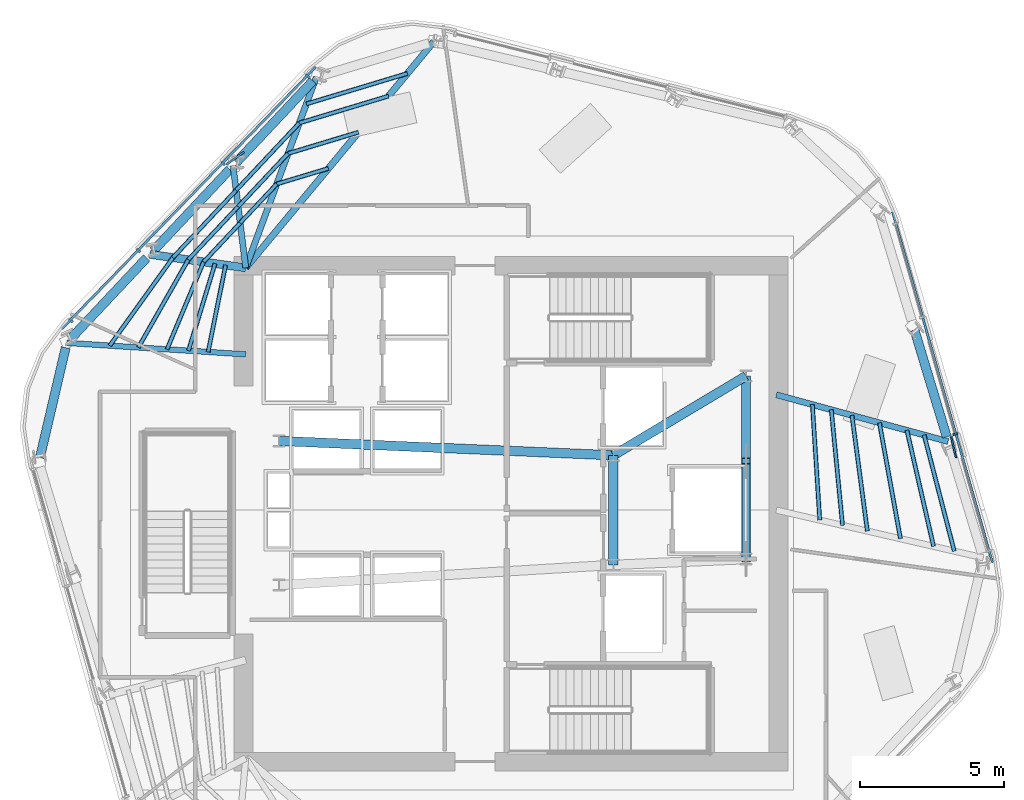
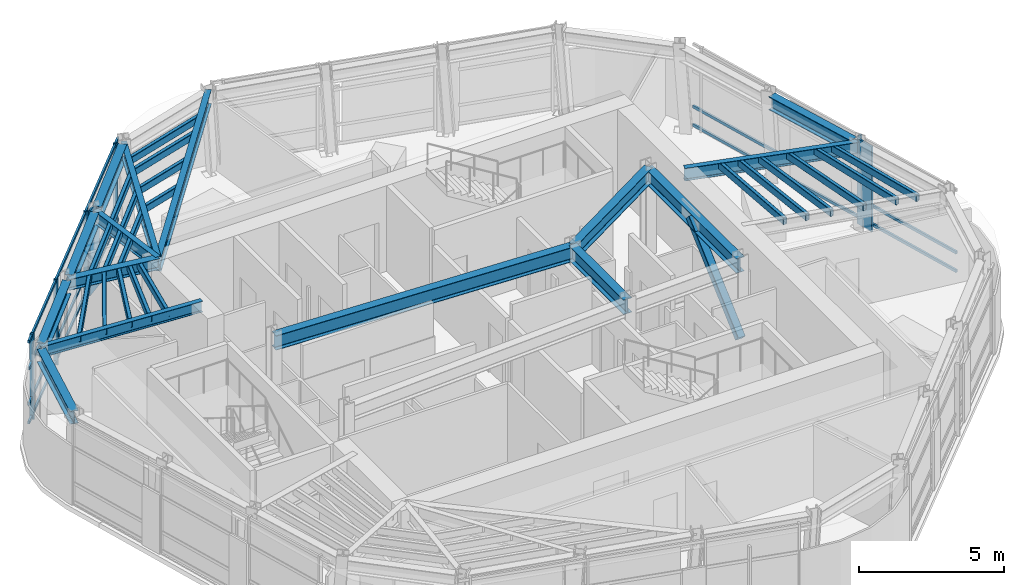
# One storey, part 4 of 13: 35 members, 15 beams, 2 elements without a shape of their own.
"""IFC4 building model written with IfcOpenShell, lengths in metres."""

import ifcopenshell
import ifcopenshell.guid

model = None  # the IFC model being written
_history = None  # IfcOwnerHistory: only IFC2X3 demands one
_inside = {}  # id of a spatial element -> (the spatial element, [elements in it])
_under = {}  # id of a project, library or spatial element -> (it, [spatial elements below it])
_declared = {}  # id of a project -> (the project, [libraries it declares])
_typed = {}  # id of a type object -> (the type object, [elements of that type])
_made_of = {}  # id of a material, layer set ... -> (it, [elements and type objects made of it])


def new_model(schema):
    """Start an empty IFC model of exactly this schema.

    Asked for "IFC4X3", IfcOpenShell would pick the latest addendum, in which some entities
    have other attributes; the version numbers below select the first issue.
    IFC2X3 requires an IfcOwnerHistory on every rooted entity: one is made here for all.
    """
    global model, _history
    if schema == "IFC4X3":
        model = ifcopenshell.file(schema_version=(4, 3, 0, 0))
    else:
        model = ifcopenshell.file(schema=schema)
    _inside.clear()
    _under.clear()
    _declared.clear()
    _typed.clear()
    _made_of.clear()
    _history = None
    if model.schema == "IFC2X3":
        org = make("IfcOrganization", Name="unknown")
        user = make(
            "IfcPersonAndOrganization",
            ThePerson=make("IfcPerson", FamilyName="unknown"),
            TheOrganization=org,
        )
        app = make(
            "IfcApplication",
            ApplicationDeveloper=org,
            Version="unknown",
            ApplicationFullName="unknown",
            ApplicationIdentifier="unknown",
        )
        _history = make(
            "IfcOwnerHistory",
            OwningUser=user,
            OwningApplication=app,
            ChangeAction="ADDED",
            CreationDate=0,
        )
    return model


def make(cls, **values):
    """One entity of the class cls with the attributes given. An attribute that is None is left unset."""
    return model.create_entity(
        cls, **{name: value for name, value in values.items() if value is not None}
    )


def rooted(cls, **values):
    """An entity with a GlobalId (a new one), such as an element, a storey or a relation."""
    return make(cls, GlobalId=ifcopenshell.guid.new(), OwnerHistory=_history, **values)


def si_unit(unit_type, name, prefix=None):
    """IfcSIUnit, for example si_unit("LENGTHUNIT", "METRE", prefix="MILLI")."""
    return make("IfcSIUnit", UnitType=unit_type, Prefix=prefix, Name=name)


def assignment(units):
    """IfcUnitAssignment: the units of a project."""
    return None if units is None else make("IfcUnitAssignment", Units=units)


def point(xyz):
    """IfcCartesianPoint."""
    return None if xyz is None else make("IfcCartesianPoint", Coordinates=xyz)


def direction(xyz):
    """IfcDirection."""
    return None if xyz is None else make("IfcDirection", DirectionRatios=xyz)


def frame(location, z_axis=None, x_axis=None):
    """IfcAxis2Placement3D, a coordinate frame: its origin and axes. An axis left out is left unset."""
    return make(
        "IfcAxis2Placement3D",
        Location=point(location),
        Axis=direction(z_axis),
        RefDirection=direction(x_axis),
    )


def frame_2d(location, x_axis=None):
    """IfcAxis2Placement2D, a coordinate frame in the plane: its origin and x axis."""
    return make(
        "IfcAxis2Placement2D", Location=point(location), RefDirection=direction(x_axis)
    )


def origin():
    """The frame at (0, 0, 0) with its axes left unset."""
    return frame((0.0, 0.0, 0.0))


def origin_2d():
    """The frame at (0, 0) in the plane with its x axis left unset."""
    return frame_2d((0.0, 0.0))


def place(relative_to, where):
    """IfcLocalPlacement: puts the frame where relative to a parent placement (None: the world)."""
    return make(
        "IfcLocalPlacement", PlacementRelTo=relative_to, RelativePlacement=where
    )


def context(
    kind, dimensions, precision=None, world=None, true_north=None, identifier=None
):
    """IfcGeometricRepresentationContext, for example the 3D "Model" context."""
    return make(
        "IfcGeometricRepresentationContext",
        ContextIdentifier=identifier,
        ContextType=kind,
        CoordinateSpaceDimension=dimensions,
        Precision=precision,
        WorldCoordinateSystem=world,
        TrueNorth=true_north,
    )


def subcontext(parent, identifier, kind, view, scale=None):
    """IfcGeometricRepresentationSubContext, for example "Body" below "Model"."""
    return make(
        "IfcGeometricRepresentationSubContext",
        ContextIdentifier=identifier,
        ContextType=kind,
        ParentContext=parent,
        TargetScale=scale,
        TargetView=view,
    )


def project(units=None, contexts=None):
    """IfcProject with its units and contexts."""
    return rooted(
        "IfcProject",
        Name="project",
        RepresentationContexts=contexts,
        UnitsInContext=assignment(units),
    )


def spatial(cls, under=None, at=None, **own):
    """A site, building, storey or space (cls), placed at a placement, below another one or the project."""
    s = rooted(cls, ObjectPlacement=at, **own)
    if under is not None:
        _under.setdefault(under.id(), (under, []))[1].append(s)
    return s


def profile(cls, at=None, kind="AREA", **sizes):
    """A parametric profile (cls). Its sizes go by their IFC names, for example OverallWidth=200.0."""
    return make(cls, ProfileType=kind, Position=at, **sizes)


def rectangle(**sizes):
    """IfcRectangleProfileDef."""
    return profile("IfcRectangleProfileDef", **sizes)


def hollow_rectangle(**sizes):
    """IfcRectangleHollowProfileDef."""
    return profile("IfcRectangleHollowProfileDef", **sizes)


def i_section(**sizes):
    """IfcIShapeProfileDef."""
    return profile("IfcIShapeProfileDef", **sizes)


def extrude(swept, where, along, depth):
    """IfcExtrudedAreaSolid: the profile swept, set in the frame where, extruded along a direction by depth."""
    return make(
        "IfcExtrudedAreaSolid",
        SweptArea=swept,
        Position=where,
        ExtrudedDirection=direction(along),
        Depth=depth,
    )


def shape(context_of_items, identifier, shape_type, items):
    """IfcShapeRepresentation: the items that make up one representation, for example the "Body"."""
    return make(
        "IfcShapeRepresentation",
        ContextOfItems=context_of_items,
        RepresentationIdentifier=identifier,
        RepresentationType=shape_type,
        Items=items,
    )


def material(Name=None, Category=None):
    """IfcMaterial."""
    return make("IfcMaterial", Name=Name, Category=Category)


def layer(
    of_material, thickness, ventilated=None, Name=None, Category=None, Priority=None
):
    """IfcMaterialLayer: one layer of a wall or slab, of a material (None: an air gap)."""
    return make(
        "IfcMaterialLayer",
        Material=of_material,
        LayerThickness=thickness,
        IsVentilated=ventilated,
        Name=Name,
        Category=Category,
        Priority=Priority,
    )


def layer_set(layers, Name=None):
    """IfcMaterialLayerSet."""
    return make("IfcMaterialLayerSet", MaterialLayers=layers, LayerSetName=Name)


def material_profile(
    of_material, cross_section, Name=None, Category=None, Priority=None
):
    """IfcMaterialProfile: a cross section and its material."""
    return make(
        "IfcMaterialProfile",
        Name=Name,
        Material=of_material,
        Profile=cross_section,
        Priority=Priority,
        Category=Category,
    )


def profile_set(profiles, Name=None, composite=None):
    """IfcMaterialProfileSet."""
    return make(
        "IfcMaterialProfileSet",
        Name=Name,
        MaterialProfiles=profiles,
        CompositeProfile=composite,
    )


def made_of(thing, what):
    """Note that an element or type object is made of a material, layer set ...; save() writes the relation."""
    if what is not None:
        _made_of.setdefault(what.id(), (what, []))[1].append(thing)
    return thing


def type_object(cls, material=None, **own):
    """A type object (cls), such as IfcWallType, which elements share."""
    return made_of(rooted(cls, **own), material)


def element(
    cls,
    number,
    at=None,
    inside=None,
    cuts=None,
    type_object=None,
    material=None,
    context=None,
    identifier="Body",
    shape_type=None,
    held_by="IfcProductDefinitionShape",
    body=None,
    shapes=None,
    **own,
):
    """One element of the class cls, such as IfcWall. Its Tag is "e" and its number.

    at: its placement. inside: the storey or other place that contains it. cuts: it is an
    opening in that element (IfcRelVoidsElement). A single representation is given by context,
    identifier, shape_type and body (its items); several are given by shapes. held_by: the class
    of the entity that holds the representations. save() writes the other relations.
    """
    e = rooted(cls, Tag="e%d" % number, ObjectPlacement=at, **own)
    if body is not None:
        shapes = [shape(context, identifier, shape_type, body)]
    if shapes is not None:
        e.Representation = make(held_by, Representations=shapes)
    if inside is not None:
        _inside.setdefault(inside.id(), (inside, []))[1].append(e)
    if cuts is not None:
        rooted(
            "IfcRelVoidsElement", RelatingBuildingElement=cuts, RelatedOpeningElement=e
        )
    if type_object is not None:
        _typed.setdefault(type_object.id(), (type_object, []))[1].append(e)
    return made_of(e, material)


def aggregate(whole, parts):
    """IfcRelAggregates: a whole, such as a stair, and the parts it consists of."""
    return rooted("IfcRelAggregates", RelatingObject=whole, RelatedObjects=parts)


def save(model, path):
    """Write the relations noted so far, then the file.

    IfcRelAggregates (storeys below a building ...), IfcRelContainedInSpatialStructure (elements
    in a storey), IfcRelDefinesByType, IfcRelAssociatesMaterial and IfcRelDeclares: one each for
    every whole, place, type object, material and project.
    """
    for whole, parts in _under.values():
        aggregate(whole, parts)
    for where, things in _inside.values():
        rooted(
            "IfcRelContainedInSpatialStructure",
            RelatedElements=things,
            RelatingStructure=where,
        )
    for kind, things in _typed.values():
        rooted("IfcRelDefinesByType", RelatedObjects=things, RelatingType=kind)
    for what, things in _made_of.values():
        rooted("IfcRelAssociatesMaterial", RelatedObjects=things, RelatingMaterial=what)
    for by, libraries in _declared.values():
        rooted("IfcRelDeclares", RelatingContext=by, RelatedDefinitions=libraries)
    model.write(path)


model = new_model("IFC4")

# Units and contexts
model_context = context("Model", 3, precision=1e-05, world=origin(), true_north=direction((0.0, 1.0)))
body_context = subcontext(model_context, "Body", "Model", "MODEL_VIEW")
ifc_project = project(units=[si_unit("LENGTHUNIT", "METRE"), si_unit("AREAUNIT", "SQUARE_METRE"), si_unit("VOLUMEUNIT", "CUBIC_METRE"), si_unit("PLANEANGLEUNIT", "RADIAN"), si_unit("MASSUNIT", "GRAM", prefix="KILO")], contexts=[model_context])

# Site, building, storey
site_placement = place(None, origin())
site = spatial("IfcSite", under=ifc_project, at=site_placement, CompositionType="ELEMENT")
building_placement = place(site_placement, origin())
building = spatial("IfcBuilding", under=site, at=building_placement, Name="Valkerne Bourse Tower", CompositionType="ELEMENT")
storey_placement = place(building_placement, frame((0.0, 0.0, 220.800048828125)))
storey = spatial("IfcBuildingStorey", under=building, at=storey_placement, Name="L56", CompositionType="ELEMENT", Elevation=220.800048828125)

# Beams
ifc_material_1 = material(Name="Steel ASTM A992", Category="steel")
ifc_material_profile_1 = material_profile(ifc_material_1, i_section(OverallWidth=0.1904296875, OverallDepth=0.457275390625, WebThickness=0.009033203125, FlangeThickness=0.014404296875, FilletRadius=0.01513671875, at=origin_2d()), Name="W18X50")
ifc_profile_set_1 = profile_set([ifc_material_profile_1], Name="Steel ASTM A992")
beam_type_1 = type_object("IfcBeamType", Name="BM-W18X50", PredefinedType="JOIST", material=ifc_profile_set_1)
beam_1_placement = place(storey_placement, frame((31.3955078125, 32.798583984375, 3.371337890625), z_axis=(0.997941959026, -0.064123680613, 0.0), x_axis=(0.064123680613, 0.997941959026, 0.0)))
element("IfcBeam", 1, at=beam_1_placement, inside=storey, type_object=beam_type_1, Name="L56 Radial Composite Floor Beam 07", PredefinedType="JOIST", context=body_context, shape_type="SweptSolid", body=[
    extrude(i_section(OverallWidth=0.1904296875, OverallDepth=0.457275390625, WebThickness=0.009033203125, FlangeThickness=0.014404296875, FilletRadius=0.01513671875, at=origin_2d()), origin(), (0.0, 0.0, 1.0), 6.21728515625),
])
ifc_material_profile_2 = material_profile(ifc_material_1, i_section(OverallWidth=0.279296875, OverallDepth=0.46240234375, WebThickness=0.0107421875, FlangeThickness=0.017333984375, FilletRadius=0.017822265625, at=origin_2d()), Name="W18X76")
ifc_profile_set_2 = profile_set([ifc_material_profile_2], Name="Steel ASTM A992")
beam_type_2 = type_object("IfcBeamType", Name="BM-W18X76", PredefinedType="BEAM", material=ifc_profile_set_2)
beam_2_placement = place(storey_placement, frame((34.27880859375, 35.868896484375, 3.36865234375), z_axis=(0.990176748058, -0.139821341739, 0.0), x_axis=(0.139821341739, 0.990176748058, 0.0)))
element("IfcBeam", 2, at=beam_2_placement, inside=storey, type_object=beam_type_2, Name="L56 Radial Composite Floor Beam 06", PredefinedType="BEAM", context=body_context, shape_type="SweptSolid", body=[
    extrude(i_section(OverallWidth=0.279296875, OverallDepth=0.46240234375, WebThickness=0.0107421875, FlangeThickness=0.017333984375, FilletRadius=0.017822265625, at=origin_2d()), origin(), (0.0, 0.0, 1.0), 3.354248046875),
])
ifc_material_profile_3 = material_profile(ifc_material_1, i_section(OverallWidth=0.31494140625, OverallDepth=0.5537109375, WebThickness=0.0166015625, FlangeThickness=0.026123046875, FilletRadius=0.020263671875, at=origin_2d()), Name="W21X132")
ifc_profile_set_3 = profile_set([ifc_material_profile_3], Name="Steel ASTM A992")
beam_type_3 = type_object("IfcBeamType", Name="BM-W21X132", PredefinedType="BEAM", material=ifc_profile_set_3)
for number, where, z_axis, x_axis, name in (
    (3, (39.92919921875, 41.885986328125, 3.3232421875), (-0.684563804111, -0.728952946424, 0.0), (0.728952946424, -0.684563804111, 0.0), "L56 Hexagonal Spandrel Ring Beam 04"),
    (4, (37.0458984375, 38.815673828125, 3.3232421875), (-0.68453234066, -0.728982492651, 0.0), (0.728982492651, -0.68453234066, 0.0), "L56 Hexagonal Spandrel Ring Beam 05"),
    (5, (34.16259765625, 35.7451171875, 3.3232421875), (-0.684563804111, -0.728952946424, 0.0), (0.728952946424, -0.684563804111, 0.0), "L56 Hexagonal Spandrel Ring Beam 06"),
):
    element("IfcBeam", number, at=place(storey_placement, frame(where, z_axis=z_axis, x_axis=x_axis)), inside=storey, type_object=beam_type_3, Name=name, PredefinedType="BEAM", context=body_context, shape_type="SweptSolid", body=[
        extrude(i_section(OverallWidth=0.31494140625, OverallDepth=0.5537109375, WebThickness=0.0166015625, FlangeThickness=0.026123046875, FilletRadius=0.020263671875, at=origin_2d()), origin(), (0.0, 0.0, 1.0), 3.8720703125),
    ])
beam_3_placement = place(storey_placement, frame((31.356689453125, 32.633056640625, 3.3232421875), z_axis=(-0.228323378408, -0.973585350584, 0.0), x_axis=(0.973585350584, -0.228323378408, 0.0)))
element("IfcBeam", 6, at=beam_3_placement, inside=storey, type_object=beam_type_3, Name="L56 Hexagonal Spandrel Ring Beam 07", PredefinedType="BEAM", context=body_context, shape_type="SweptSolid", body=[
    extrude(i_section(OverallWidth=0.31494140625, OverallDepth=0.5537109375, WebThickness=0.0166015625, FlangeThickness=0.026123046875, FilletRadius=0.020263671875, at=origin_2d()), origin(), (0.0, 0.0, 1.0), 3.915771484375),
])
beam_4_placement = place(storey_placement, frame((61.90966796875, 29.53955078125, 3.3232421875), z_axis=(-0.289030758957, 0.957319810918, 0.0), x_axis=(-0.957319810918, -0.289030758957, 0.0)))
element("IfcBeam", 7, at=beam_4_placement, inside=storey, type_object=beam_type_3, Name="L56 Hexagonal Spandrel Ring Beam 21", PredefinedType="BEAM", context=body_context, shape_type="SweptSolid", body=[
    extrude(i_section(OverallWidth=0.31494140625, OverallDepth=0.5537109375, WebThickness=0.0166015625, FlangeThickness=0.026123046875, FilletRadius=0.020263671875, at=origin_2d()), origin(), (0.0, 0.0, 1.0), 3.8720703125),
])
ifc_material_profile_4 = material_profile(ifc_material_1, i_section(OverallWidth=0.209228515625, OverallDepth=0.533447265625, WebThickness=0.01025390625, FlangeThickness=0.015625, FilletRadius=0.017822265625, at=origin_2d()), Name="W21X62")
ifc_profile_set_4 = profile_set([ifc_material_profile_4], Name="Steel ASTM A992")
beam_type_4 = type_object("IfcBeamType", Name="BM-W21X62", PredefinedType="JOIST", material=ifc_profile_set_4)
beam_5_placement = place(storey_placement, frame((37.162109375, 38.939453125, 3.333251953125), z_axis=(0.122804592433, -0.992430870176, 0.0), x_axis=(0.992430870176, 0.122804592433, 0.0)))
element("IfcBeam", 8, at=beam_5_placement, inside=storey, type_object=beam_type_4, Name="L56 Radial Composite Floor Beam 05", PredefinedType="JOIST", context=body_context, shape_type="SweptSolid", body=[
    extrude(i_section(OverallWidth=0.209228515625, OverallDepth=0.533447265625, WebThickness=0.01025390625, FlangeThickness=0.015625, FilletRadius=0.017822265625, at=origin_2d()), origin(), (0.0, 0.0, 1.0), 3.566650390625),
])
beam_6_placement = place(storey_placement, frame((61.958740234375, 29.376708984375, 3.333251953125), z_axis=(-0.964838587487, 0.26284310928, 0.0), x_axis=(-0.26284310928, -0.964838587487, 0.0)))
element("IfcBeam", 9, at=beam_6_placement, inside=storey, type_object=beam_type_4, Name="L56 Radial Composite Floor Beam 21", PredefinedType="JOIST", context=body_context, shape_type="SweptSolid", body=[
    extrude(i_section(OverallWidth=0.209228515625, OverallDepth=0.533447265625, WebThickness=0.01025390625, FlangeThickness=0.015625, FilletRadius=0.017822265625, at=origin_2d()), origin(), (0.0, 0.0, 1.0), 6.17578125),
])
ifc_material_profile_5 = material_profile(ifc_material_1, i_section(OverallWidth=0.2138671875, OverallDepth=0.548583984375, WebThickness=0.0146484375, FlangeThickness=0.023681640625, FilletRadius=0.017822265625, at=origin_2d()), Name="W21X93")
ifc_profile_set_5 = profile_set([ifc_material_profile_5], Name="Steel ASTM A992")
beam_type_5 = type_object("IfcBeamType", Name="BM-W21X93", PredefinedType="BEAM", material=ifc_profile_set_5)
beam_7_placement = place(storey_placement, frame((40.045654296875, 42.010009765625, 3.32568359375), z_axis=(-0.346986030263, -0.937870297431, 0.0), x_axis=(0.937870297431, -0.346986030263, 0.0)))
element("IfcBeam", 10, at=beam_7_placement, inside=storey, type_object=beam_type_5, Name="L56 Radial Composite Floor Beam 04", PredefinedType="BEAM", context=body_context, shape_type="SweptSolid", body=[
    extrude(i_section(OverallWidth=0.2138671875, OverallDepth=0.548583984375, WebThickness=0.0146484375, FlangeThickness=0.023681640625, FilletRadius=0.017822265625, at=origin_2d()), origin(), (0.0, 0.0, 1.0), 7.048095703125),
])
ifc_material_profile_6 = material_profile(ifc_material_1, i_section(OverallWidth=0.3251953125, OverallDepth=0.612060546875, WebThickness=0.0126953125, FlangeThickness=0.01904296875, FilletRadius=0.020263671875, at=origin_2d()), Name="W24X104")
ifc_profile_set_6 = profile_set([ifc_material_profile_6], Name="Steel ASTM A992")
beam_type_6 = type_object("IfcBeamType", Name="BM-W24X104", PredefinedType="BEAM", material=ifc_profile_set_6)
beam_8_placement = place(storey_placement, frame((50.35009765625, 25.10009765625, 3.2939453125), z_axis=(0.0, 1.0, 0.0), x_axis=(-1.0, 0.0, 0.0)))
element("IfcBeam", 11, at=beam_8_placement, inside=storey, type_object=beam_type_6, Name="L56 Core Frame Girder CG-CE", PredefinedType="BEAM", context=body_context, shape_type="SweptSolid", body=[
    extrude(i_section(OverallWidth=0.3251953125, OverallDepth=0.612060546875, WebThickness=0.0126953125, FlangeThickness=0.01904296875, FilletRadius=0.020263671875, at=origin_2d()), origin(), (0.0, 0.0, 1.0), 3.7998046875),
])
beam_9_placement = place(storey_placement, frame((50.35009765625, 28.89990234375, 3.2939453125), z_axis=(0.858307823492, 0.513135148019, 0.0), x_axis=(-0.513135148019, 0.858307823492, 0.0)))
element("IfcBeam", 12, at=beam_9_placement, inside=storey, type_object=beam_type_6, Name="L56 Core Frame Girder CG-NE", PredefinedType="BEAM", context=body_context, shape_type="SweptSolid", body=[
    extrude(i_section(OverallWidth=0.3251953125, OverallDepth=0.612060546875, WebThickness=0.0126953125, FlangeThickness=0.01904296875, FilletRadius=0.020263671875, at=origin_2d()), origin(), (0.0, 0.0, 1.0), 5.359130859375),
])
beam_10_placement = place(storey_placement, frame((54.949951171875, 25.300048828125, 3.2939453125), z_axis=(0.0, 1.0, 0.0), x_axis=(-1.0, 0.0, 0.0)))
element("IfcBeam", 13, at=beam_10_placement, inside=storey, type_object=beam_type_6, Name="L56 Core Frame Girder CG-EE", PredefinedType="BEAM", context=body_context, shape_type="SweptSolid", body=[
    extrude(i_section(OverallWidth=0.3251953125, OverallDepth=0.612060546875, WebThickness=0.0126953125, FlangeThickness=0.01904296875, FilletRadius=0.020263671875, at=origin_2d()), origin(), (0.0, 0.0, 1.0), 6.349853515625),
])
beam_11_placement = place(storey_placement, frame((38.75, 29.39990234375, 3.2939453125), z_axis=(0.999072354402, -0.043063101019, 0.0), x_axis=(0.043063101019, 0.999072354402, 0.0)))
element("IfcBeam", 14, at=beam_11_placement, inside=storey, type_object=beam_type_6, Name="L56 Core Frame Girder CG-NW", PredefinedType="BEAM", context=body_context, shape_type="SweptSolid", body=[
    extrude(i_section(OverallWidth=0.3251953125, OverallDepth=0.612060546875, WebThickness=0.0126953125, FlangeThickness=0.01904296875, FilletRadius=0.020263671875, at=origin_2d()), origin(), (0.0, 0.0, 1.0), 11.61083984375),
])
ifc_material_profile_7 = material_profile(ifc_material_1, i_section(OverallWidth=0.228271484375, OverallDepth=0.607177734375, WebThickness=0.01123046875, FlangeThickness=0.017333984375, FilletRadius=0.017822265625, at=origin_2d()), Name="W24X76")
ifc_profile_set_7 = profile_set([ifc_material_profile_7], Name="Steel ASTM A992")
beam_type_7 = type_object("IfcBeamType", Name="BM-W24X76", PredefinedType="JOIST", material=ifc_profile_set_7)
beam_12_placement = place(storey_placement, frame((44.11962890625, 43.239990234375, 3.29638671875), z_axis=(-0.639380969179, -0.76889009374, 0.0), x_axis=(0.76889009374, -0.639380969179, 0.0)))
element("IfcBeam", 15, at=beam_12_placement, inside=storey, type_object=beam_type_7, Name="L56 Radial Composite Floor Beam 03", PredefinedType="JOIST", context=body_context, shape_type="SweptSolid", body=[
    extrude(i_section(OverallWidth=0.228271484375, OverallDepth=0.607177734375, WebThickness=0.01123046875, FlangeThickness=0.017333984375, FilletRadius=0.017822265625, at=origin_2d()), origin(), (0.0, 0.0, 1.0), 10.196533203125),
])

# Curtain wall, members
ifc_material_2 = material(Name="Aluminium AA 6063-T6", Category="aluminium")
ifc_layer = layer(ifc_material_2, 0.239990234375)
ifc_layer_set = layer_set([ifc_layer], Name="Aluminium AA 6063-T6")
curtain_wall_type = type_object("IfcCurtainWallType", Name="CW-04", PredefinedType="NOTDEFINED", material=ifc_layer_set)
curtain_wall_1_placement = place(storey_placement, origin())
curtain_wall_1 = element("IfcCurtainWall", 16, at=curtain_wall_1_placement, inside=storey, type_object=curtain_wall_type, Name="L56 Hexagonal Stick Curtain Wall Face 2", PredefinedType="NOTDEFINED")
ifc_material_profile_8 = material_profile(ifc_material_2, rectangle(XDim=0.074951171875, YDim=0.159912109375, at=origin_2d()), Name="CWM-75X160")
ifc_profile_set_8 = profile_set([ifc_material_profile_8], Name="Aluminium AA 6063-T6")
member_type_1 = type_object("IfcMemberType", Name="CW-MUL-160X75", PredefinedType="MULLION", material=ifc_profile_set_8)
member_1_placement = place(storey_placement, frame((39.745849609375, 42.049072265625, 0.0), z_axis=(0.0, 0.0, 1.0), x_axis=(-0.695920361161, -0.718118967108, 0.0)))
member_1 = element("IfcMember", 17, at=member_1_placement, type_object=member_type_1, Name="CW-L56-F2 Jamb Mullion 00A", PredefinedType="MULLION", context=body_context, shape_type="SweptSolid", body=[
    extrude(rectangle(XDim=0.074951171875, YDim=0.159912109375, at=origin_2d()), origin(), (0.0, 0.0, 1.0), 3.599853515625),
])
member_2_placement = place(storey_placement, frame((36.814697265625, 39.0244140625, 0.0), z_axis=(0.0, 0.0, 1.0), x_axis=(-0.695908496203, -0.718130465105, 0.0)))
member_2 = element("IfcMember", 18, at=member_2_placement, type_object=member_type_1, Name="CW-L56-F2 Jamb Mullion 01A", PredefinedType="MULLION", context=body_context, shape_type="SweptSolid", body=[
    extrude(rectangle(XDim=0.074951171875, YDim=0.159912109375, at=origin_2d()), origin(), (0.0, 0.0, 1.0), 3.599853515625),
])
member_3_placement = place(storey_placement, frame((33.88330078125, 35.99951171875, 0.0), z_axis=(0.0, 0.0, 1.0), x_axis=(-0.695920361161, -0.718118967108, 0.0)))
member_3 = element("IfcMember", 19, at=member_3_placement, type_object=member_type_1, Name="CW-L56-F2 Jamb Mullion 02A", PredefinedType="MULLION", context=body_context, shape_type="SweptSolid", body=[
    extrude(rectangle(XDim=0.074951171875, YDim=0.159912109375, at=origin_2d()), origin(), (0.0, 0.0, 1.0), 3.599853515625),
])
member_4_placement = place(storey_placement, frame((31.53662109375, 33.578125, 0.0), z_axis=(0.0, 0.0, 1.0), x_axis=(-0.695920361161, -0.718118967108, 0.0)))
member_4 = element("IfcMember", 20, at=member_4_placement, type_object=member_type_1, Name="CW-L56-F2 Jamb Mullion 02B", PredefinedType="MULLION", context=body_context, shape_type="SweptSolid", body=[
    extrude(rectangle(XDim=0.074951171875, YDim=0.159912109375, at=origin_2d()), origin(), (0.0, 0.0, 1.0), 3.599853515625),
])

# Curtain wall, member
curtain_wall_2_placement = place(storey_placement, origin())
curtain_wall_2 = element("IfcCurtainWall", 21, at=curtain_wall_2_placement, inside=storey, type_object=curtain_wall_type, Name="L56 Hexagonal Stick Curtain Wall Face 6", PredefinedType="NOTDEFINED")
member_5_placement = place(storey_placement, frame((62.2060546875, 29.635498046875, 0.0), z_axis=(0.0, 0.0, 1.0), x_axis=(-0.27395280214, 0.961743137329, 0.0)))
member_5 = element("IfcMember", 22, at=member_5_placement, type_object=member_type_1, Name="CW-L56-F6 Jamb Mullion 01A", PredefinedType="MULLION", context=body_context, shape_type="SweptSolid", body=[
    extrude(rectangle(XDim=0.074951171875, YDim=0.159912109375, at=origin_2d()), origin(), (0.0, 0.0, 1.0), 3.599853515625),
])

# Member
ifc_material_profile_9 = material_profile(ifc_material_2, rectangle(XDim=0.074951171875, YDim=0.1201171875, at=origin_2d()), Name="CWT-75X120")
ifc_profile_set_9 = profile_set([ifc_material_profile_9], Name="Aluminium AA 6063-T6")
member_type_2 = type_object("IfcMemberType", Name="CW-TRN-120X75", PredefinedType="USERDEFINED", material=ifc_profile_set_9)
member_6_placement = place(storey_placement, frame((40.023681640625, 42.364501953125, 0.119873046875), z_axis=(-0.695919793583, -0.718119517141, 0.0), x_axis=(0.718119517141, -0.695919793583, 0.0)))
member_6 = element("IfcMember", 23, at=member_6_placement, type_object=member_type_2, Name="CW-L56-F2 Continuous Face Transom 1", ObjectType="TRANSOM", PredefinedType="USERDEFINED", context=body_context, shape_type="SweptSolid", body=[
    extrude(rectangle(XDim=0.074951171875, YDim=0.1201171875, at=origin_2d()), origin(), (0.0, 0.0, 1.0), 12.635986328125),
])

member_7_placement = place(storey_placement, frame((40.023681640625, 42.364501953125, 0.89990234375), z_axis=(-0.695919793583, -0.718119517141, 0.0), x_axis=(0.718119517141, -0.695919793583, 0.0)))
member_7 = element("IfcMember", 24, at=member_7_placement, type_object=member_type_2, Name="CW-L56-F2 Continuous Face Transom 2", ObjectType="TRANSOM", PredefinedType="USERDEFINED", context=body_context, shape_type="SweptSolid", body=[
    extrude(rectangle(XDim=0.074951171875, YDim=0.1201171875, at=origin_2d()), origin(), (0.0, 0.0, 1.0), 12.635986328125),
])

member_8_placement = place(storey_placement, frame((40.023681640625, 42.364501953125, 2.39990234375), z_axis=(-0.695919793583, -0.718119517141, 0.0), x_axis=(0.718119517141, -0.695919793583, 0.0)))
member_8 = element("IfcMember", 25, at=member_8_placement, type_object=member_type_2, Name="CW-L56-F2 Continuous Face Transom 3", ObjectType="TRANSOM", PredefinedType="USERDEFINED", context=body_context, shape_type="SweptSolid", body=[
    extrude(rectangle(XDim=0.074951171875, YDim=0.1201171875, at=origin_2d()), origin(), (0.0, 0.0, 1.0), 12.635986328125),
])

member_9_placement = place(storey_placement, frame((40.023681640625, 42.364501953125, 3.52001953125), z_axis=(-0.695919793583, -0.718119517141, 0.0), x_axis=(0.718119517141, -0.695919793583, 0.0)))
member_9 = element("IfcMember", 26, at=member_9_placement, type_object=member_type_2, Name="CW-L56-F2 Continuous Face Transom 4", ObjectType="TRANSOM", PredefinedType="USERDEFINED", context=body_context, shape_type="SweptSolid", body=[
    extrude(rectangle(XDim=0.074951171875, YDim=0.1201171875, at=origin_2d()), origin(), (0.0, 0.0, 1.0), 12.635986328125),
])

aggregate(curtain_wall_1, [member_6, member_7, member_8, member_9, member_1, member_2, member_3, member_4])

member_10_placement = place(storey_placement, frame((63.494384765625, 25.186279296875, 0.119873046875), z_axis=(-0.273958028661, 0.961741648538, 0.0), x_axis=(-0.961741648538, -0.273958028661, 0.0)))
member_10 = element("IfcMember", 27, at=member_10_placement, type_object=member_type_2, Name="CW-L56-F6 Continuous Face Transom 1", ObjectType="TRANSOM", PredefinedType="USERDEFINED", context=body_context, shape_type="SweptSolid", body=[
    extrude(rectangle(XDim=0.074951171875, YDim=0.1201171875, at=origin_2d()), origin(), (0.0, 0.0, 1.0), 12.6357421875),
])

member_11_placement = place(storey_placement, frame((63.494384765625, 25.186279296875, 0.89990234375), z_axis=(-0.273958028661, 0.961741648538, 0.0), x_axis=(-0.961741648538, -0.273958028661, 0.0)))
member_11 = element("IfcMember", 28, at=member_11_placement, type_object=member_type_2, Name="CW-L56-F6 Continuous Face Transom 2", ObjectType="TRANSOM", PredefinedType="USERDEFINED", context=body_context, shape_type="SweptSolid", body=[
    extrude(rectangle(XDim=0.074951171875, YDim=0.1201171875, at=origin_2d()), origin(), (0.0, 0.0, 1.0), 12.6357421875),
])

aggregate(curtain_wall_2, [member_10, member_11, member_5])

# Members
ifc_material_3 = material(Name="Bronze Anodised Aluminium AA 6063-T6", Category="aluminium")
ifc_material_profile_10 = material_profile(ifc_material_3, rectangle(XDim=0.06494140625, YDim=0.75, at=origin_2d()), Name="FIN-65X750")
ifc_profile_set_10 = profile_set([ifc_material_profile_10], Name="Bronze Anodised Aluminium AA 6063-T6")
member_type_3 = type_object("IfcMemberType", Name="FIN-SOLAR-650", PredefinedType="USERDEFINED", material=ifc_profile_set_10)
for number, where, z_axis, x_axis, name in (
    (29, (37.236083984375, 39.20068359375, 0.00390625), (0.0, 0.0, 1.0), (-0.575862910387, 0.817546272966, 0.0), "L56 Bronze Anodised Solar Fin F2-01"),
    (30, (62.148193359375, 29.18212890625, 0.00390625), (0.0, 0.0, 1.0), (0.972399646009, 0.233321513029, 0.0), "L56 Bronze Anodised Solar Fin F6-01"),
):
    element("IfcMember", number, at=place(storey_placement, frame(where, z_axis=z_axis, x_axis=x_axis)), inside=storey, type_object=member_type_3, Name=name, ObjectType="SOLAR_FIN", PredefinedType="USERDEFINED", context=body_context, shape_type="SweptSolid", body=[
        extrude(rectangle(XDim=0.06494140625, YDim=0.75, at=origin_2d()), origin(), (0.0, 0.0, 1.0), 3.592041015625),
    ])
ifc_material_4 = material(Name="Steel ASTM A500 Grade C", Category="steel")
ifc_material_profile_11 = material_profile(ifc_material_4, hollow_rectangle(XDim=0.14990234375, YDim=0.300048828125, WallThickness=0.012451171875, OuterFilletRadius=0.02490234375, at=origin_2d()), Name="HSS300X150X12.5")
ifc_profile_set_11 = profile_set([ifc_material_profile_11], Name="Steel ASTM A500 Grade C")
member_type_4 = type_object("IfcMemberType", Name="MBR-HSS300X150X12.5", PredefinedType="PURLIN", material=ifc_profile_set_11)
member_12_placement = place(storey_placement, frame((36.537109375, 35.550048828125, 3.43994140625), z_axis=(-0.291951589223, -0.956433097268, 0.0), x_axis=(0.956433097268, -0.291951589223, 0.0)))
element("IfcMember", 31, at=member_12_placement, inside=storey, type_object=member_type_4, Name="L56 Secondary Composite Floor Purlin I-06", PredefinedType="PURLIN", context=body_context, shape_type="SweptSolid", body=[
    extrude(hollow_rectangle(XDim=0.14990234375, YDim=0.300048828125, WallThickness=0.012451171875, OuterFilletRadius=0.02490234375, at=origin_2d()), origin(), (0.0, 0.0, 1.0), 3.16015625),
])
member_13_placement = place(storey_placement, frame((58.29638671875, 26.47021484375, 3.43994140625), z_axis=(-0.096701782868, 0.995313400488, 0.0), x_axis=(-0.995313400488, -0.096701782868, 0.0)))
element("IfcMember", 32, at=member_13_placement, inside=storey, type_object=member_type_4, Name="L56 Secondary Composite Floor Purlin I-20", PredefinedType="PURLIN", context=body_context, shape_type="SweptSolid", body=[
    extrude(hollow_rectangle(XDim=0.14990234375, YDim=0.300048828125, WallThickness=0.012451171875, OuterFilletRadius=0.02490234375, at=origin_2d()), origin(), (0.0, 0.0, 1.0), 4.029296875),
])
member_14_placement = place(storey_placement, frame((40.468505859375, 38.849609375, 3.43994140625), z_axis=(-0.95730796957, -0.289069976646, 0.0), x_axis=(0.289069976646, -0.95730796957, 0.0)))
element("IfcMember", 33, at=member_14_placement, inside=storey, type_object=member_type_4, Name="L56 Secondary Composite Floor Purlin K-03", PredefinedType="PURLIN", context=body_context, shape_type="SweptSolid", body=[
    extrude(hollow_rectangle(XDim=0.14990234375, YDim=0.300048828125, WallThickness=0.012451171875, OuterFilletRadius=0.02490234375, at=origin_2d()), origin(), (0.0, 0.0, 1.0), 1.872314453125),
])
member_15_placement = place(storey_placement, frame((38.676025390625, 38.308349609375, 3.43994140625), z_axis=(-0.684558808363, -0.728957637928, 0.0), x_axis=(0.728957637928, -0.684558808363, 0.0)))
element("IfcMember", 34, at=member_15_placement, inside=storey, type_object=member_type_4, Name="L56 Secondary Composite Floor Purlin K-04", PredefinedType="PURLIN", context=body_context, shape_type="SweptSolid", body=[
    extrude(hollow_rectangle(XDim=0.14990234375, YDim=0.300048828125, WallThickness=0.012451171875, OuterFilletRadius=0.02490234375, at=origin_2d()), origin(), (0.0, 0.0, 1.0), 1.85302734375),
])
member_16_placement = place(storey_placement, frame((37.407470703125, 36.95751953125, 3.43994140625), z_axis=(-0.68456307154, -0.728953634386, 0.0), x_axis=(0.728953634386, -0.68456307154, 0.0)))
element("IfcMember", 35, at=member_16_placement, inside=storey, type_object=member_type_4, Name="L56 Secondary Composite Floor Purlin K-05", PredefinedType="PURLIN", context=body_context, shape_type="SweptSolid", body=[
    extrude(hollow_rectangle(XDim=0.14990234375, YDim=0.300048828125, WallThickness=0.012451171875, OuterFilletRadius=0.02490234375, at=origin_2d()), origin(), (0.0, 0.0, 1.0), 1.853515625),
])
member_17_placement = place(storey_placement, frame((36.138671875, 35.6064453125, 3.43994140625), z_axis=(-0.386076333693, -0.922466836565, 0.0), x_axis=(0.922466836565, -0.386076333693, 0.0)))
element("IfcMember", 36, at=member_17_placement, inside=storey, type_object=member_type_4, Name="L56 Secondary Composite Floor Purlin K-06", PredefinedType="PURLIN", context=body_context, shape_type="SweptSolid", body=[
    extrude(hollow_rectangle(XDim=0.14990234375, YDim=0.300048828125, WallThickness=0.012451171875, OuterFilletRadius=0.02490234375, at=origin_2d()), origin(), (0.0, 0.0, 1.0), 3.28564453125),
])
member_18_placement = place(storey_placement, frame((59.157470703125, 26.271484375, 3.43994140625), z_axis=(-0.132258485791, 0.991215260645, 0.0), x_axis=(-0.991215260645, -0.132258485791, 0.0)))
element("IfcMember", 37, at=member_18_placement, inside=storey, type_object=member_type_4, Name="L56 Secondary Composite Floor Purlin K-20", PredefinedType="PURLIN", context=body_context, shape_type="SweptSolid", body=[
    extrude(hollow_rectangle(XDim=0.14990234375, YDim=0.300048828125, WallThickness=0.012451171875, OuterFilletRadius=0.02490234375, at=origin_2d()), origin(), (0.0, 0.0, 1.0), 4.050048828125),
])
member_19_placement = place(storey_placement, frame((42.554931640625, 41.3583984375, 3.43994140625), z_axis=(-0.957317858831, -0.289037224528, 0.0), x_axis=(0.289037224528, -0.957317858831, 0.0)))
element("IfcMember", 38, at=member_19_placement, inside=storey, type_object=member_type_4, Name="L56 Secondary Composite Floor Purlin O-03", PredefinedType="PURLIN", context=body_context, shape_type="SweptSolid", body=[
    extrude(hollow_rectangle(XDim=0.14990234375, YDim=0.300048828125, WallThickness=0.012451171875, OuterFilletRadius=0.02490234375, at=origin_2d()), origin(), (0.0, 0.0, 1.0), 3.234130859375),
])
member_20_placement = place(storey_placement, frame((39.458740234375, 40.423583984375, 3.43994140625), z_axis=(-0.684564960887, -0.728951860088, 0.0), x_axis=(0.728951860088, -0.684564960887, 0.0)))
element("IfcMember", 39, at=member_20_placement, inside=storey, type_object=member_type_4, Name="L56 Secondary Composite Floor Purlin O-04", PredefinedType="PURLIN", context=body_context, shape_type="SweptSolid", body=[
    extrude(hollow_rectangle(XDim=0.14990234375, YDim=0.300048828125, WallThickness=0.012451171875, OuterFilletRadius=0.02490234375, at=origin_2d()), origin(), (0.0, 0.0, 1.0), 3.201171875),
])
member_21_placement = place(storey_placement, frame((37.267333984375, 38.090087890625, 3.43994140625), z_axis=(-0.684526904124, -0.728987597652, 0.0), x_axis=(0.728987597652, -0.684526904124, 0.0)))
element("IfcMember", 40, at=member_21_placement, inside=storey, type_object=member_type_4, Name="L56 Secondary Composite Floor Purlin O-05", PredefinedType="PURLIN", context=body_context, shape_type="SweptSolid", body=[
    extrude(hollow_rectangle(XDim=0.14990234375, YDim=0.300048828125, WallThickness=0.012451171875, OuterFilletRadius=0.02490234375, at=origin_2d()), origin(), (0.0, 0.0, 1.0), 3.201416015625),
])
member_22_placement = place(storey_placement, frame((35.075927734375, 35.75634765625, 3.43994140625), z_axis=(-0.583018819397, -0.812458648935, 0.0), x_axis=(0.812458648935, -0.583018819397, 0.0)))
element("IfcMember", 41, at=member_22_placement, inside=storey, type_object=member_type_4, Name="L56 Secondary Composite Floor Purlin O-06", PredefinedType="PURLIN", context=body_context, shape_type="SweptSolid", body=[
    extrude(hollow_rectangle(XDim=0.14990234375, YDim=0.300048828125, WallThickness=0.012451171875, OuterFilletRadius=0.02490234375, at=origin_2d()), origin(), (0.0, 0.0, 1.0), 3.75830078125),
])
member_23_placement = place(storey_placement, frame((61.453857421875, 25.741943359375, 3.43994140625), z_axis=(-0.224017416832, 0.974585140948, 0.0), x_axis=(-0.974585140948, -0.224017416832, 0.0)))
element("IfcMember", 42, at=member_23_placement, inside=storey, type_object=member_type_4, Name="L56 Secondary Composite Floor Purlin O-20", PredefinedType="PURLIN", context=body_context, shape_type="SweptSolid", body=[
    extrude(hollow_rectangle(XDim=0.14990234375, YDim=0.300048828125, WallThickness=0.012451171875, OuterFilletRadius=0.02490234375, at=origin_2d()), origin(), (0.0, 0.0, 1.0), 4.12939453125),
])
member_24_placement = place(storey_placement, frame((41.51171875, 40.10400390625, 3.43994140625), z_axis=(-0.957314232941, -0.289049233538, 0.0), x_axis=(0.289049233538, -0.957314232941, 0.0)))
element("IfcMember", 43, at=member_24_placement, inside=storey, type_object=member_type_4, Name="L56 Secondary Composite Floor Purlin Z-03", PredefinedType="PURLIN", context=body_context, shape_type="SweptSolid", body=[
    extrude(hollow_rectangle(XDim=0.14990234375, YDim=0.300048828125, WallThickness=0.012451171875, OuterFilletRadius=0.02490234375, at=origin_2d()), origin(), (0.0, 0.0, 1.0), 2.55322265625),
])
for number, where, z_axis, x_axis, name in (
    (44, (39.0673828125, 39.365966796875, 3.43994140625), (-0.684538601251, -0.728976613752, 0.0), (0.728976613752, -0.684538601251, 0.0), "L56 Secondary Composite Floor Purlin Z-04"),
    (45, (37.33740234375, 37.523681640625, 3.43994140625), (-0.684538601251, -0.728976613752, 0.0), (0.728976613752, -0.684538601251, 0.0), "L56 Secondary Composite Floor Purlin Z-05"),
):
    element("IfcMember", number, at=place(storey_placement, frame(where, z_axis=z_axis, x_axis=x_axis)), inside=storey, type_object=member_type_4, Name=name, PredefinedType="PURLIN", context=body_context, shape_type="SweptSolid", body=[
        extrude(hollow_rectangle(XDim=0.14990234375, YDim=0.300048828125, WallThickness=0.012451171875, OuterFilletRadius=0.02490234375, at=origin_2d()), origin(), (0.0, 0.0, 1.0), 2.527099609375),
    ])
member_25_placement = place(storey_placement, frame((35.607421875, 35.681396484375, 3.43994140625), z_axis=(-0.49431979614, -0.869280126969, 0.0), x_axis=(0.869280126969, -0.49431979614, 0.0)))
element("IfcMember", 46, at=member_25_placement, inside=storey, type_object=member_type_4, Name="L56 Secondary Composite Floor Purlin Z-06", PredefinedType="PURLIN", context=body_context, shape_type="SweptSolid", body=[
    extrude(hollow_rectangle(XDim=0.14990234375, YDim=0.300048828125, WallThickness=0.012451171875, OuterFilletRadius=0.02490234375, at=origin_2d()), origin(), (0.0, 0.0, 1.0), 3.499755859375),
])
member_26_placement = place(storey_placement, frame((60.3056640625, 26.0068359375, 3.43994140625), z_axis=(-0.178811809307, 0.983883294325, 0.0), x_axis=(-0.983883294325, -0.178811809307, 0.0)))
element("IfcMember", 47, at=member_26_placement, inside=storey, type_object=member_type_4, Name="L56 Secondary Composite Floor Purlin Z-20", PredefinedType="PURLIN", context=body_context, shape_type="SweptSolid", body=[
    extrude(hollow_rectangle(XDim=0.14990234375, YDim=0.300048828125, WallThickness=0.012451171875, OuterFilletRadius=0.02490234375, at=origin_2d()), origin(), (0.0, 0.0, 1.0), 4.085205078125),
])
member_27_placement = place(storey_placement, frame((36.902587890625, 35.49853515625, 3.43994140625), z_axis=(-0.1968947358, -0.980424634031, 0.0), x_axis=(0.980424634031, -0.1968947358, 0.0)))
element("IfcMember", 48, at=member_27_placement, inside=storey, type_object=member_type_4, Name="L56 Secondary Composite Floor Purlin S-06", PredefinedType="PURLIN", context=body_context, shape_type="SweptSolid", body=[
    extrude(hollow_rectangle(XDim=0.14990234375, YDim=0.300048828125, WallThickness=0.012451171875, OuterFilletRadius=0.02490234375, at=origin_2d()), origin(), (0.0, 0.0, 1.0), 3.0751953125),
])
member_28_placement = place(storey_placement, frame((57.507080078125, 26.65234375, 3.43994140625), z_axis=(-0.063725924605, 0.997967437612, 0.0), x_axis=(-0.997967437612, -0.063725924605, 0.0)))
element("IfcMember", 49, at=member_28_placement, inside=storey, type_object=member_type_4, Name="L56 Secondary Composite Floor Purlin S-20", PredefinedType="PURLIN", context=body_context, shape_type="SweptSolid", body=[
    extrude(hollow_rectangle(XDim=0.14990234375, YDim=0.300048828125, WallThickness=0.012451171875, OuterFilletRadius=0.02490234375, at=origin_2d()), origin(), (0.0, 0.0, 1.0), 4.014892578125),
])
member_29_placement = place(storey_placement, frame((43.206787109375, 42.142333984375, 3.43994140625), z_axis=(-0.957316218531, -0.289042657299, 0.0), x_axis=(0.289042657299, -0.957316218531, 0.0)))
element("IfcMember", 50, at=member_29_placement, inside=storey, type_object=member_type_4, Name="L56 Secondary Composite Floor Purlin T-03", PredefinedType="PURLIN", context=body_context, shape_type="SweptSolid", body=[
    extrude(hollow_rectangle(XDim=0.14990234375, YDim=0.300048828125, WallThickness=0.012451171875, OuterFilletRadius=0.02490234375, at=origin_2d()), origin(), (0.0, 0.0, 1.0), 3.659912109375),
])
member_30_placement = place(storey_placement, frame((62.17138671875, 25.576416015625, 3.43994140625), z_axis=(-0.251566808719, 0.967839935501, 0.0), x_axis=(-0.967839935501, -0.251566808719, 0.0)))
element("IfcMember", 51, at=member_30_placement, inside=storey, type_object=member_type_4, Name="L56 Secondary Composite Floor Purlin T-20", PredefinedType="PURLIN", context=body_context, shape_type="SweptSolid", body=[
    extrude(hollow_rectangle(XDim=0.14990234375, YDim=0.300048828125, WallThickness=0.012451171875, OuterFilletRadius=0.02490234375, at=origin_2d()), origin(), (0.0, 0.0, 1.0), 4.161376953125),
])
ifc_material_profile_12 = material_profile(ifc_material_4, hollow_rectangle(XDim=0.300048828125, YDim=0.300048828125, WallThickness=0.012451171875, OuterFilletRadius=0.02490234375, at=origin_2d()), Name="HSS300X300X12.5")
ifc_profile_set_12 = profile_set([ifc_material_profile_12], Name="Steel ASTM A500 Grade C")
member_type_5 = type_object("IfcMemberType", Name="MBR-HSS300X300X12.5", PredefinedType="STRUT", material=ifc_profile_set_12)
member_31_placement = place(storey_placement, frame((54.949951171875, 25.300048828125, 0.219970703125), z_axis=(0.0, 0.741766660352, 0.670658051163), x_axis=(-1.0, 0.0, 0.0)))
element("IfcMember", 52, at=member_31_placement, inside=storey, type_object=member_type_5, Name="L56 Core Service Pier Lateral Brace", PredefinedType="STRUT", context=body_context, shape_type="SweptSolid", body=[
    extrude(hollow_rectangle(XDim=0.300048828125, YDim=0.300048828125, WallThickness=0.012451171875, OuterFilletRadius=0.02490234375, at=origin_2d()), origin(), (0.0, 0.0, 1.0), 4.58349609375),
])

save(model, "model.ifc")
